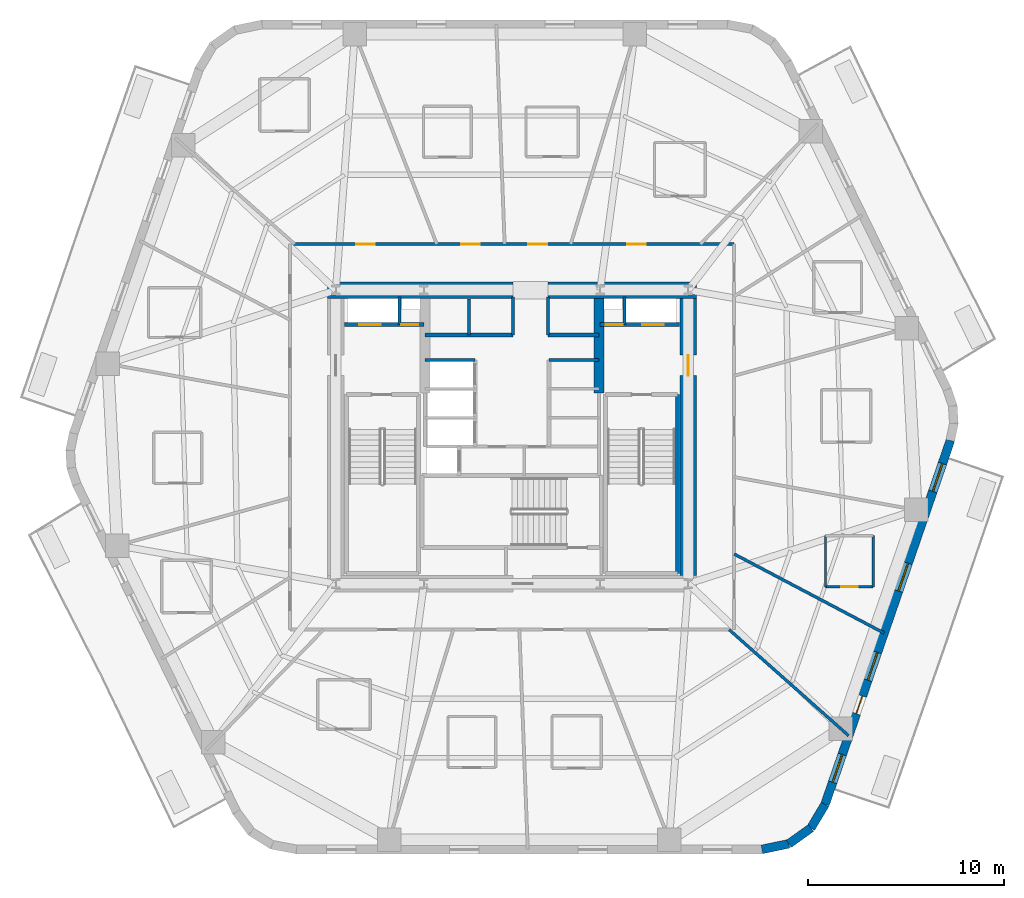
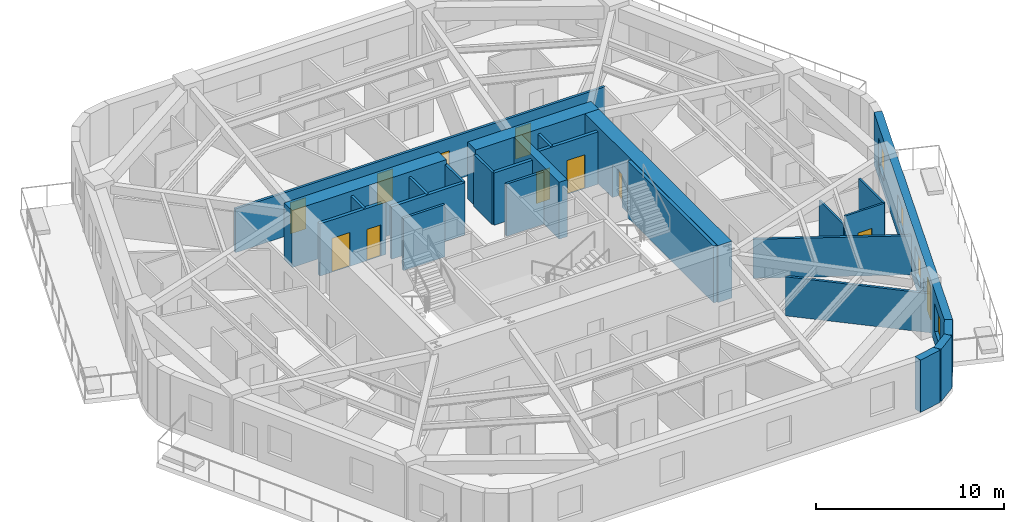
# One storey, part 5 of 10: 26 walls, 11 doors, 4 windows, 15 openings.
"""IFC4 building model written with IfcOpenShell, lengths in metres."""

from ifc_helpers import new_model, si_unit, direction, frame, frame_2d, origin, place, context, subcontext, project, spatial, rectangle, extrude, material, layer, layer_set, type_object, element, fill, save


model = new_model("IFC4")

# Units and contexts
model_context = context("Model", 3, precision=1e-05, world=origin(), true_north=direction((0.0, 1.0)))
body_context = subcontext(model_context, "Body", "Model", "MODEL_VIEW")
ifc_project = project(units=[si_unit("LENGTHUNIT", "METRE"), si_unit("AREAUNIT", "SQUARE_METRE"), si_unit("VOLUMEUNIT", "CUBIC_METRE"), si_unit("PLANEANGLEUNIT", "RADIAN"), si_unit("MASSUNIT", "GRAM", prefix="KILO")], contexts=[model_context])

# Site, building, storey
site_placement = place(None, origin())
site = spatial("IfcSite", under=ifc_project, at=site_placement, CompositionType="ELEMENT")
building_placement = place(site_placement, origin())
building = spatial("IfcBuilding", under=site, at=building_placement, Name="Kilnhurst Terrace Hotel", CompositionType="ELEMENT")
storey_placement = place(building_placement, frame((0.0, 0.0, 113.60009765625)))
storey = spatial("IfcBuildingStorey", under=building, at=storey_placement, Name="L27", CompositionType="ELEMENT", Elevation=113.60009765625)

# Walls
ifc_material_1 = material(Name="Precast concrete C40/50", Category="concrete")
ifc_layer_1 = layer(ifc_material_1, 0.449951171875, Name="Precast concrete C40/50")
ifc_layer_set_1 = layer_set([ifc_layer_1], Name="Precast concrete C40/50")
wall_type_1 = type_object("IfcWallType", Name="WL-BRK-450", PredefinedType="SOLIDWALL", material=ifc_layer_set_1)
wall_1_placement = place(storey_placement, frame((12.7705078125, -21.074951171875, 0.0), z_axis=(0.0, 0.0, 1.0), x_axis=(0.97874281988, 0.205091424819, 0.0)))
element("IfcWall", 1, at=wall_1_placement, inside=storey, type_object=wall_type_1, Name="L27 Rounded Corner Brick Wall C2.1", PredefinedType="SOLIDWALL", context=body_context, shape_type="SweptSolid", body=[
    extrude(rectangle(XDim=1.40576171875, YDim=0.449951171875, at=frame_2d((0.702880859375, 0.0))), origin(), (0.0, 0.0, 1.0), 3.39990234375),
])
wall_2_placement = place(storey_placement, frame((14.146484375, -20.78662109375, 0.0), z_axis=(0.0, 0.0, 1.0), x_axis=(0.814162929117, 0.580636482536, 0.0)))
element("IfcWall", 2, at=wall_2_placement, inside=storey, type_object=wall_type_1, Name="L27 Rounded Corner Brick Wall C2.2", PredefinedType="SOLIDWALL", context=body_context, shape_type="SweptSolid", body=[
    extrude(rectangle(XDim=1.382080078125, YDim=0.449951171875, at=frame_2d((0.69091796875, 0.0))), origin(), (0.0, 0.0, 1.0), 3.39990234375),
])
wall_3_placement = place(storey_placement, frame((15.271728515625, -19.984130859375, 0.0), z_axis=(0.0, 0.0, 1.0), x_axis=(0.512579347361, 0.858639862025, 0.0)))
element("IfcWall", 3, at=wall_3_placement, inside=storey, type_object=wall_type_1, Name="L27 Rounded Corner Brick Wall C2.3", PredefinedType="SOLIDWALL", context=body_context, shape_type="SweptSolid", body=[
    extrude(rectangle(XDim=1.406005859375, YDim=0.449951171875, at=frame_2d((0.703125, 0.0))), origin(), (0.0, 0.0, 1.0), 3.39990234375),
])

# Wall, openings, door, windows
wall_4_placement = place(storey_placement, frame((15.992431640625, -18.77685546875, 0.0), z_axis=(0.0, 0.0, 1.0), x_axis=(0.325606988926, 0.945505202927, 0.0)))
wall_4 = element("IfcWall", 4, at=wall_4_placement, inside=storey, type_object=wall_type_1, Name="L27 Exterior Brick Facade Wall F2", PredefinedType="SOLIDWALL", context=body_context, shape_type="SweptSolid", body=[
    extrude(rectangle(XDim=19.66943359375, YDim=0.449951171875, at=frame_2d((9.834716796875, 0.0))), origin(), (0.0, 0.0, 1.0), 3.39990234375),
])
opening_1_placement = place(wall_4_placement, frame((4.908935546875, 0.0, 0.0)))
opening_1 = element("IfcOpeningElement", 5, at=opening_1_placement, cuts=wall_4, Name="Opening BD-950", PredefinedType="OPENING", context=body_context, shape_type="SweptSolid", body=[
    extrude(rectangle(XDim=0.949951171875, YDim=2.14990234375, at=frame_2d((0.47509765625, 1.074951171875))), frame((0.0, 0.23486328125, 0.0), z_axis=(0.0, -1.0, 0.0), x_axis=(1.0, 0.0, 0.0)), (0.0, 0.0, 1.0), 0.469970703125),
])
opening_2_placement = place(wall_4_placement, frame((1.197021484375, 0.0, 0.800048828125)))
opening_2 = element("IfcOpeningElement", 6, at=opening_2_placement, cuts=wall_4, Name="Opening W-02", PredefinedType="OPENING", context=body_context, shape_type="SweptSolid", body=[
    extrude(rectangle(XDim=1.5, YDim=1.800048828125, at=frame_2d((0.75, 0.89990234375))), frame((0.0, 0.23486328125, 0.0), z_axis=(0.0, -1.0, 0.0), x_axis=(1.0, 0.0, 0.0)), (0.0, 0.0, 1.0), 0.469970703125),
])
opening_3_placement = place(wall_4_placement, frame((6.714111328125, 0.0, 0.800048828125)))
opening_3 = element("IfcOpeningElement", 7, at=opening_3_placement, cuts=wall_4, Name="Opening W-02", PredefinedType="OPENING", context=body_context, shape_type="SweptSolid", body=[
    extrude(rectangle(XDim=1.5, YDim=1.800048828125, at=frame_2d((0.75, 0.89990234375))), frame((0.0, 0.23486328125, 0.0), z_axis=(0.0, -1.0, 0.0), x_axis=(1.0, 0.0, 0.0)), (0.0, 0.0, 1.0), 0.469970703125),
])
opening_4_placement = place(wall_4_placement, frame((11.530029296875, 0.0, 0.800048828125)))
opening_4 = element("IfcOpeningElement", 8, at=opening_4_placement, cuts=wall_4, Name="Opening W-02", PredefinedType="OPENING", context=body_context, shape_type="SweptSolid", body=[
    extrude(rectangle(XDim=1.5, YDim=1.800048828125, at=frame_2d((0.75, 0.89990234375))), frame((0.0, 0.23486328125, 0.0), z_axis=(0.0, -1.0, 0.0), x_axis=(1.0, 0.0, 0.0)), (0.0, 0.0, 1.0), 0.469970703125),
])
opening_5_placement = place(wall_4_placement, frame((16.91796875, 0.0, 0.800048828125)))
opening_5 = element("IfcOpeningElement", 9, at=opening_5_placement, cuts=wall_4, Name="Opening W-02", PredefinedType="OPENING", context=body_context, shape_type="SweptSolid", body=[
    extrude(rectangle(XDim=1.5, YDim=1.800048828125, at=frame_2d((0.75, 0.89990234375))), frame((0.0, 0.23486328125, 0.0), z_axis=(0.0, -1.0, 0.0), x_axis=(1.0, 0.0, 0.0)), (0.0, 0.0, 1.0), 0.469970703125),
])
ifc_material_2 = material(Name="Thermally Broken Bronze Aluminium Alloy 6063-T6 and Laminated Glass", Category="aluminium")
door_type_1 = type_object("IfcDoorType", Name="DR-EXT-BAL-950", OperationType="NOTDEFINED", PredefinedType="DOOR", material=ifc_material_2)
door_1_placement = place(opening_1_placement, origin())
door_1 = element("IfcDoor", 10, at=door_1_placement, inside=storey, type_object=door_type_1, Name="L27 Planted Balcony Door BAL-L1A", OperationType="SINGLE_SWING_RIGHT", OverallHeight=2.14990234375, OverallWidth=0.949951171875, PredefinedType="DOOR", context=body_context, shape_type="SweptSolid", body=[
    extrude(rectangle(XDim=0.949951171875, YDim=2.14990234375, at=frame_2d((0.47509765625, 1.074951171875))), frame((0.0, 0.02490234375, 0.0), z_axis=(0.0, -1.0, 0.0), x_axis=(1.0, 0.0, 0.0)), (0.0, 0.0, 1.0), 0.050048828125),
])
fill(opening_1, door_1)
ifc_material_3 = material(Name="Thermally Broken Bronze Aluminium Alloy 6063-T6 and Low-E Glass", Category="aluminium")
window_type = type_object("IfcWindowType", Name="WIN-1500X1800", PartitioningType="SINGLE_PANEL", PredefinedType="WINDOW", material=ifc_material_3)
window_1_placement = place(opening_2_placement, origin())
window_1 = element("IfcWindow", 11, at=window_1_placement, inside=storey, type_object=window_type, Name="L27 Deep-Set Masonry Window F2.1", OverallHeight=1.800048828125, OverallWidth=1.5, PartitioningType="SINGLE_PANEL", PredefinedType="WINDOW", context=body_context, shape_type="SweptSolid", body=[
    extrude(rectangle(XDim=1.5, YDim=1.800048828125, at=frame_2d((0.75, 0.89990234375))), frame((0.0, 0.030029296875, 0.0), z_axis=(0.0, -1.0, 0.0), x_axis=(1.0, 0.0, 0.0)), (0.0, 0.0, 1.0), 0.06005859375),
])
fill(opening_2, window_1)
window_2_placement = place(opening_3_placement, origin())
window_2 = element("IfcWindow", 12, at=window_2_placement, inside=storey, type_object=window_type, Name="L27 Deep-Set Masonry Window F2.2", OverallHeight=1.800048828125, OverallWidth=1.5, PartitioningType="SINGLE_PANEL", PredefinedType="WINDOW", context=body_context, shape_type="SweptSolid", body=[
    extrude(rectangle(XDim=1.5, YDim=1.800048828125, at=frame_2d((0.75, 0.89990234375))), frame((0.0, 0.030029296875, 0.0), z_axis=(0.0, -1.0, 0.0), x_axis=(1.0, 0.0, 0.0)), (0.0, 0.0, 1.0), 0.06005859375),
])
fill(opening_3, window_2)
window_3_placement = place(opening_4_placement, origin())
window_3 = element("IfcWindow", 13, at=window_3_placement, inside=storey, type_object=window_type, Name="L27 Deep-Set Masonry Window F2.3", OverallHeight=1.800048828125, OverallWidth=1.5, PartitioningType="SINGLE_PANEL", PredefinedType="WINDOW", context=body_context, shape_type="SweptSolid", body=[
    extrude(rectangle(XDim=1.5, YDim=1.800048828125, at=frame_2d((0.75, 0.89990234375))), frame((0.0, 0.030029296875, 0.0), z_axis=(0.0, -1.0, 0.0), x_axis=(1.0, 0.0, 0.0)), (0.0, 0.0, 1.0), 0.06005859375),
])
fill(opening_4, window_3)
window_4_placement = place(opening_5_placement, origin())
window_4 = element("IfcWindow", 14, at=window_4_placement, inside=storey, type_object=window_type, Name="L27 Deep-Set Masonry Window F2.4", OverallHeight=1.800048828125, OverallWidth=1.5, PartitioningType="SINGLE_PANEL", PredefinedType="WINDOW", context=body_context, shape_type="SweptSolid", body=[
    extrude(rectangle(XDim=1.5, YDim=1.800048828125, at=frame_2d((0.75, 0.89990234375))), frame((0.0, 0.030029296875, 0.0), z_axis=(0.0, -1.0, 0.0), x_axis=(1.0, 0.0, 0.0)), (0.0, 0.0, 1.0), 0.06005859375),
])
fill(opening_5, window_4)

# Wall, openings, doors
ifc_material_4 = material(Name="Acoustic Double-Gypsum Corridor Partition Assembly")
ifc_layer_2 = layer(ifc_material_4, 0.14990234375, Name="Acoustic Double-Gypsum Corridor Partition Assembly")
ifc_layer_set_2 = layer_set([ifc_layer_2], Name="Acoustic Double-Gypsum Corridor Partition Assembly")
wall_type_2 = type_object("IfcWallType", Name="WL-COR-150", PredefinedType="PARTITIONING", material=ifc_layer_set_2)
wall_5_placement = place(storey_placement, frame((-11.35009765625, 9.85009765625, 0.0), z_axis=(0.0, 0.0, 1.0), x_axis=(1.0, 0.0, 0.0)))
wall_5 = element("IfcWall", 15, at=wall_5_placement, inside=storey, type_object=wall_type_2, Name="L27 Interior Wall WL-L27-COR-02", PredefinedType="PARTITIONING", context=body_context, shape_type="SweptSolid", body=[
    extrude(rectangle(XDim=22.7001953125, YDim=0.14990234375, at=frame_2d((11.35009765625, 0.0))), origin(), (0.0, 0.0, 1.0), 2.83984375),
])
opening_6_placement = place(wall_5_placement, frame((17.237060546875, 0.0, 0.0)))
opening_6 = element("IfcOpeningElement", 16, at=opening_6_placement, cuts=wall_5, Name="Opening D-60B", PredefinedType="OPENING", context=body_context, shape_type="SweptSolid", body=[
    extrude(rectangle(XDim=0.949951171875, YDim=2.030029296875, at=frame_2d((0.47509765625, 1.01513671875))), frame((0.0, 0.0849609375, 0.0), z_axis=(0.0, -1.0, 0.0), x_axis=(1.0, 0.0, 0.0)), (0.0, 0.0, 1.0), 0.169921875),
])
opening_7_placement = place(wall_5_placement, frame((12.19189453125, 0.0, 0.0)))
opening_7 = element("IfcOpeningElement", 17, at=opening_7_placement, cuts=wall_5, Name="Opening D-60B", PredefinedType="OPENING", context=body_context, shape_type="SweptSolid", body=[
    extrude(rectangle(XDim=0.949951171875, YDim=2.030029296875, at=frame_2d((0.47509765625, 1.01513671875))), frame((0.0, 0.0849609375, 0.0), z_axis=(0.0, -1.0, 0.0), x_axis=(1.0, 0.0, 0.0)), (0.0, 0.0, 1.0), 0.169921875),
])
opening_8_placement = place(wall_5_placement, frame((8.757080078125, 0.0, 0.0)))
opening_8 = element("IfcOpeningElement", 18, at=opening_8_placement, cuts=wall_5, Name="Opening D-60B", PredefinedType="OPENING", context=body_context, shape_type="SweptSolid", body=[
    extrude(rectangle(XDim=0.949951171875, YDim=2.030029296875, at=frame_2d((0.47509765625, 1.01513671875))), frame((0.0, 0.0849609375, 0.0), z_axis=(0.0, -1.0, 0.0), x_axis=(1.0, 0.0, 0.0)), (0.0, 0.0, 1.0), 0.169921875),
])
opening_9_placement = place(wall_5_placement, frame((3.39892578125, 0.0, 0.0)))
opening_9 = element("IfcOpeningElement", 19, at=opening_9_placement, cuts=wall_5, Name="Opening D-60B", PredefinedType="OPENING", context=body_context, shape_type="SweptSolid", body=[
    extrude(rectangle(XDim=0.949951171875, YDim=2.030029296875, at=frame_2d((0.47509765625, 1.01513671875))), frame((0.0, 0.0849609375, 0.0), z_axis=(0.0, -1.0, 0.0), x_axis=(1.0, 0.0, 0.0)), (0.0, 0.0, 1.0), 0.169921875),
])
ifc_material_5 = material(Name="Acoustic Walnut Veneer Solid-Core Fire Door")
door_type_2 = type_object("IfcDoorType", Name="DR-FD60-950", OperationType="NOTDEFINED", PredefinedType="DOOR", material=ifc_material_5)
door_2_placement = place(opening_6_placement, origin())
door_2 = element("IfcDoor", 20, at=door_2_placement, inside=storey, type_object=door_type_2, Name="L27 Executive Suite Entry Door 3", OperationType="SINGLE_SWING_LEFT", OverallHeight=2.030029296875, OverallWidth=0.949951171875, PredefinedType="DOOR", context=body_context, shape_type="SweptSolid", body=[
    extrude(rectangle(XDim=0.949951171875, YDim=2.030029296875, at=frame_2d((0.47509765625, 1.01513671875))), frame((0.0, 0.02490234375, 0.0), z_axis=(0.0, -1.0, 0.0), x_axis=(1.0, 0.0, 0.0)), (0.0, 0.0, 1.0), 0.050048828125),
])
fill(opening_6, door_2)
door_3_placement = place(opening_7_placement, origin())
door_3 = element("IfcDoor", 21, at=door_3_placement, inside=storey, type_object=door_type_2, Name="L27 Guest Room Entry Door 4", OperationType="SINGLE_SWING_RIGHT", OverallHeight=2.030029296875, OverallWidth=0.949951171875, PredefinedType="DOOR", context=body_context, shape_type="SweptSolid", body=[
    extrude(rectangle(XDim=0.949951171875, YDim=2.030029296875, at=frame_2d((0.47509765625, 1.01513671875))), frame((0.0, 0.02490234375, 0.0), z_axis=(0.0, -1.0, 0.0), x_axis=(1.0, 0.0, 0.0)), (0.0, 0.0, 1.0), 0.050048828125),
])
fill(opening_7, door_3)
door_4_placement = place(opening_8_placement, origin())
door_4 = element("IfcDoor", 22, at=door_4_placement, inside=storey, type_object=door_type_2, Name="L27 Guest Room Entry Door 5", OperationType="SINGLE_SWING_LEFT", OverallHeight=2.030029296875, OverallWidth=0.949951171875, PredefinedType="DOOR", context=body_context, shape_type="SweptSolid", body=[
    extrude(rectangle(XDim=0.949951171875, YDim=2.030029296875, at=frame_2d((0.47509765625, 1.01513671875))), frame((0.0, 0.02490234375, 0.0), z_axis=(0.0, -1.0, 0.0), x_axis=(1.0, 0.0, 0.0)), (0.0, 0.0, 1.0), 0.050048828125),
])
fill(opening_8, door_4)
door_5_placement = place(opening_9_placement, origin())
door_5 = element("IfcDoor", 23, at=door_5_placement, inside=storey, type_object=door_type_2, Name="L27 Executive Suite Entry Door 6", OperationType="SINGLE_SWING_RIGHT", OverallHeight=2.030029296875, OverallWidth=0.949951171875, PredefinedType="DOOR", context=body_context, shape_type="SweptSolid", body=[
    extrude(rectangle(XDim=0.949951171875, YDim=2.030029296875, at=frame_2d((0.47509765625, 1.01513671875))), frame((0.0, 0.02490234375, 0.0), z_axis=(0.0, -1.0, 0.0), x_axis=(1.0, 0.0, 0.0)), (0.0, 0.0, 1.0), 0.050048828125),
])
fill(opening_9, door_5)

# Walls
ifc_material_6 = material(Name="Concrete C80/95", Category="concrete")
ifc_layer_3 = layer(ifc_material_6, 0.85009765625, Name="Concrete C80/95")
ifc_layer_set_3 = layer_set([ifc_layer_3], Name="Concrete C80/95")
wall_type_3 = type_object("IfcWallType", Name="WL-CORE-850", PredefinedType="SHEAR", material=ifc_layer_set_3)
wall_6_placement = place(storey_placement, frame((-9.425048828125, 7.5, 0.0), z_axis=(0.0, 0.0, 1.0), x_axis=(1.0, 0.0, 0.0)))
element("IfcWall", 24, at=wall_6_placement, inside=storey, type_object=wall_type_3, Name="L27 Core North West Shear Wall", PredefinedType="SHEAR", context=body_context, shape_type="SweptSolid", body=[
    extrude(rectangle(XDim=9.47509765625, YDim=0.85009765625, at=frame_2d((4.737548828125, 0.0))), origin(), (0.0, 0.0, 1.0), 3.699951171875),
])
wall_7_placement = place(storey_placement, frame((1.85009765625, 7.5, 0.0), z_axis=(0.0, 0.0, 1.0), x_axis=(1.0, 0.0, 0.0)))
element("IfcWall", 25, at=wall_7_placement, inside=storey, type_object=wall_type_3, Name="L27 Core North East Shear Wall", PredefinedType="SHEAR", context=body_context, shape_type="SweptSolid", body=[
    extrude(rectangle(XDim=7.574951171875, YDim=0.85009765625, at=frame_2d((3.78759765625, 0.0))), origin(), (0.0, 0.0, 1.0), 3.699951171875),
])

# Wall, opening, door
wall_8_placement = place(storey_placement, frame((9.0, -7.074951171875, 0.0), z_axis=(0.0, 0.0, 1.0), x_axis=(0.0, 1.0, 0.0)))
wall_8 = element("IfcWall", 26, at=wall_8_placement, inside=storey, type_object=wall_type_3, Name="L27 Core East Shear Wall", PredefinedType="SHEAR", context=body_context, shape_type="SweptSolid", body=[
    extrude(rectangle(XDim=14.14990234375, YDim=0.85009765625, at=frame_2d((7.074951171875, 0.0))), origin(), (0.0, 0.0, 1.0), 3.699951171875),
])
opening_10_placement = place(wall_8_placement, frame((10.199951171875, 0.0, 0.0)))
opening_10 = element("IfcOpeningElement", 27, at=opening_10_placement, cuts=wall_8, Name="Opening D-90A", PredefinedType="OPENING", context=body_context, shape_type="SweptSolid", body=[
    extrude(rectangle(XDim=1.050048828125, YDim=2.14990234375, at=frame_2d((0.52490234375, 1.074951171875))), frame((0.0, 0.43505859375, 0.0), z_axis=(0.0, -1.0, 0.0), x_axis=(1.0, 0.0, 0.0)), (0.0, 0.0, 1.0), 0.8701171875),
])
ifc_material_7 = material(Name="Painted Hollow Metal Steel ASTM A36 Fire Door", Category="steel")
door_type_3 = type_object("IfcDoorType", Name="DR-FD90-1050", OperationType="NOTDEFINED", PredefinedType="DOOR", material=ifc_material_7)
door_6_placement = place(opening_10_placement, origin())
door_6 = element("IfcDoor", 28, at=door_6_placement, inside=storey, type_object=door_type_3, Name="L27 East Firefighting Lobby Door", OperationType="SINGLE_SWING_LEFT", OverallHeight=2.14990234375, OverallWidth=1.050048828125, PredefinedType="DOOR", context=body_context, shape_type="SweptSolid", body=[
    extrude(rectangle(XDim=1.050048828125, YDim=2.14990234375, at=frame_2d((0.52490234375, 1.074951171875))), frame((0.0, 0.02490234375, 0.0), z_axis=(0.0, -1.0, 0.0), x_axis=(1.0, 0.0, 0.0)), (0.0, 0.0, 1.0), 0.050048828125),
])
fill(opening_10, door_6)

# Walls
ifc_material_8 = material(Name="Concrete C60/75", Category="concrete")
ifc_layer_4 = layer(ifc_material_8, 0.5, Name="Concrete C60/75")
ifc_layer_set_4 = layer_set([ifc_layer_4], Name="Concrete C60/75")
wall_type_4 = type_object("IfcWallType", Name="WL-CORE-WEB-500", PredefinedType="SHEAR", material=ifc_layer_set_4)
wall_9_placement = place(storey_placement, frame((4.449951171875, 2.25, 0.0), z_axis=(0.0, 0.0, 1.0), x_axis=(0.0, 1.0, 0.0)))
element("IfcWall", 29, at=wall_9_placement, inside=storey, type_object=wall_type_4, Name="L27 Core Internal East Shear Web", PredefinedType="SHEAR", context=body_context, shape_type="SweptSolid", body=[
    extrude(rectangle(XDim=4.824951171875, YDim=0.5, at=frame_2d((2.41259765625, 0.0))), origin(), (0.0, 0.0, 1.0), 3.699951171875),
])
ifc_material_9 = material(Name="STC-58 Acoustic Twin-Frame Guestroom Demising Partition")
ifc_layer_5 = layer(ifc_material_9, 0.14990234375, Name="STC-58 Acoustic Twin-Frame Guestroom Demising Partition")
ifc_layer_set_5 = layer_set([ifc_layer_5], Name="STC-58 Acoustic Twin-Frame Guestroom Demising Partition")
wall_type_5 = type_object("IfcWallType", Name="WL-DEM-150", PredefinedType="PARTITIONING", material=ifc_layer_set_5)
wall_10_placement = place(storey_placement, frame((11.097900390625, -9.85009765625, 0.0), z_axis=(0.0, 0.0, 1.0), x_axis=(0.747904295103, -0.663806572253, 0.0)))
element("IfcWall", 30, at=wall_10_placement, inside=storey, type_object=wall_type_5, Name="L27 Interior Wall WL-L27-DEM-COL11-16-1", PredefinedType="PARTITIONING", context=body_context, shape_type="SweptSolid", body=[
    extrude(rectangle(XDim=8.160400390625, YDim=0.14990234375, at=frame_2d((4.080078125, 0.0))), origin(), (0.0, 0.0, 1.0), 2.539794921875),
])
wall_11_placement = place(storey_placement, frame((11.35009765625, -5.9833984375, 0.0), z_axis=(0.0, 0.0, 1.0), x_axis=(0.884597447182, -0.466355397137, 0.0)))
element("IfcWall", 31, at=wall_11_placement, inside=storey, type_object=wall_type_5, Name="L27 Interior Wall WL-L27-DEM-MID11-17-1", PredefinedType="PARTITIONING", context=body_context, shape_type="SweptSolid", body=[
    extrude(rectangle(XDim=8.65673828125, YDim=0.14990234375, at=frame_2d((4.328369140625, 0.0))), origin(), (0.0, 0.0, 1.0), 2.539794921875),
])

# Wall, opening, door
ifc_material_10 = material(Name="120 mm Moisture-Resistant Tile-Backed Bathroom Partition")
ifc_layer_6 = layer(ifc_material_10, 0.1201171875, Name="120 mm Moisture-Resistant Tile-Backed Bathroom Partition")
ifc_layer_set_6 = layer_set([ifc_layer_6], Name="120 mm Moisture-Resistant Tile-Backed Bathroom Partition")
wall_type_6 = type_object("IfcWallType", Name="WL-PART-120", PredefinedType="PARTITIONING", material=ifc_layer_set_6)
wall_12_placement = place(storey_placement, frame((16.014892578125, -7.656005859375, 0.0), z_axis=(0.0, 0.0, 1.0), x_axis=(1.0, 0.0, 0.0)))
wall_12 = element("IfcWall", 32, at=wall_12_placement, inside=storey, type_object=wall_type_6, Name="L27 Interior Wall WL-L27-BTH-17-1", PredefinedType="PARTITIONING", context=body_context, shape_type="SweptSolid", body=[
    extrude(rectangle(XDim=2.440185546875, YDim=0.1201171875, at=frame_2d((1.22021484375, 0.0))), origin(), (0.0, 0.0, 1.0), 3.39990234375),
])
opening_11_placement = place(wall_12_placement, frame((0.794921875, 0.0, 0.0)))
opening_11 = element("IfcOpeningElement", 33, at=opening_11_placement, cuts=wall_12, Name="Opening D-08A", PredefinedType="OPENING", context=body_context, shape_type="SweptSolid", body=[
    extrude(rectangle(XDim=0.85009765625, YDim=2.030029296875, at=frame_2d((0.425048828125, 1.01513671875))), frame((0.0, 0.070068359375, 0.0), z_axis=(0.0, -1.0, 0.0), x_axis=(1.0, 0.0, 0.0)), (0.0, 0.0, 1.0), 0.14013671875),
])
ifc_material_11 = material(Name="Moisture-Resistant Lacquered En-suite Bathroom Door")
door_type_4 = type_object("IfcDoorType", Name="DR-INT-850", OperationType="NOTDEFINED", PredefinedType="DOOR", material=ifc_material_11)
door_7_placement = place(opening_11_placement, origin())
door_7 = element("IfcDoor", 34, at=door_7_placement, inside=storey, type_object=door_type_4, Name="L27 En-suite Bathroom Door 17", OperationType="SINGLE_SWING_RIGHT", OverallHeight=2.030029296875, OverallWidth=0.85009765625, PredefinedType="DOOR", context=body_context, shape_type="SweptSolid", body=[
    extrude(rectangle(XDim=0.85009765625, YDim=2.030029296875, at=frame_2d((0.425048828125, 1.01513671875))), frame((0.0, 0.02490234375, 0.0), z_axis=(0.0, -1.0, 0.0), x_axis=(1.0, 0.0, 0.0)), (0.0, 0.0, 1.0), 0.050048828125),
])
fill(opening_11, door_7)

# Walls
wall_13_placement = place(storey_placement, frame((18.455078125, -7.656005859375, 0.0), z_axis=(0.0, 0.0, 1.0), x_axis=(0.0, 1.0, 0.0)))
element("IfcWall", 35, at=wall_13_placement, inside=storey, type_object=wall_type_6, Name="L27 Interior Wall WL-L27-BTH-17-2", PredefinedType="PARTITIONING", context=body_context, shape_type="SweptSolid", body=[
    extrude(rectangle(XDim=2.610107421875, YDim=0.1201171875, at=frame_2d((1.30517578125, 0.0))), origin(), (0.0, 0.0, 1.0), 3.39990234375),
])
wall_14_placement = place(storey_placement, frame((16.014892578125, -5.0458984375, 0.0), z_axis=(0.0, 0.0, 1.0), x_axis=(0.0, -1.0, 0.0)))
element("IfcWall", 36, at=wall_14_placement, inside=storey, type_object=wall_type_6, Name="L27 Interior Wall WL-L27-BTH-17-4", PredefinedType="PARTITIONING", context=body_context, shape_type="SweptSolid", body=[
    extrude(rectangle(XDim=2.610107421875, YDim=0.1201171875, at=frame_2d((1.30517578125, 0.0))), origin(), (0.0, 0.0, 1.0), 2.83984375),
])
ifc_material_12 = material(Name="Fire-Rated Gypsum Shaftliner Assembly")
ifc_layer_7 = layer(ifc_material_12, 0.14990234375, Name="Fire-Rated Gypsum Shaftliner Assembly")
ifc_layer_set_7 = layer_set([ifc_layer_7], Name="Fire-Rated Gypsum Shaftliner Assembly")
wall_type_7 = type_object("IfcWallType", Name="WL-SHAFT-150", PredefinedType="PARTITIONING", material=ifc_layer_set_7)
for number, where, z_axis, x_axis, name in (
    (37, (-5.75, 5.739990234375, 0.0), (0.0, 0.0, 1.0), (0.0, 1.0, 0.0), "L27 Interior Wall WL-L27-RIS1-DIV"),
    (38, (5.75, 5.739990234375, 0.0), (0.0, 0.0, 1.0), (0.0, 1.0, 0.0), "L27 Interior Wall WL-L27-RIS2-DIV"),
):
    element("IfcWall", number, at=place(storey_placement, frame(where, z_axis=z_axis, x_axis=x_axis)), inside=storey, type_object=wall_type_7, Name=name, PredefinedType="PARTITIONING", context=body_context, shape_type="SweptSolid", body=[
        extrude(rectangle(XDim=1.409912109375, YDim=0.14990234375, at=frame_2d((0.705078125, 0.0))), origin(), (0.0, 0.0, 1.0), 3.39990234375),
    ])
wall_15_placement = place(storey_placement, frame((-2.199951171875, 5.199951171875, 0.0), z_axis=(0.0, 0.0, 1.0), x_axis=(0.0, 1.0, 0.0)))
element("IfcWall", 39, at=wall_15_placement, inside=storey, type_object=wall_type_7, Name="L27 Interior Wall WL-L27-HR-DIV1", PredefinedType="PARTITIONING", context=body_context, shape_type="SweptSolid", body=[
    extrude(rectangle(XDim=1.85009765625, YDim=0.14990234375, at=frame_2d((0.925048828125, 0.0))), origin(), (0.0, 0.0, 1.0), 3.39990234375),
])
for number, where, z_axis, x_axis, name in (
    (40, (0.050048828125, 5.199951171875, 0.0), (0.0, 0.0, 1.0), (0.0, 1.0, 0.0), "L27 Interior Wall WL-L27-HR-PORTAL-W"),
    (41, (1.85009765625, 5.199951171875, 0.0), (0.0, 0.0, 1.0), (0.0, 1.0, 0.0), "L27 Interior Wall WL-L27-HR-PORTAL-E"),
):
    element("IfcWall", number, at=place(storey_placement, frame(where, z_axis=z_axis, x_axis=x_axis)), inside=storey, type_object=wall_type_7, Name=name, PredefinedType="PARTITIONING", context=body_context, shape_type="SweptSolid", body=[
        extrude(rectangle(XDim=1.949951171875, YDim=0.14990234375, at=frame_2d((0.97509765625, 0.0))), origin(), (0.0, 0.0, 1.0), 3.39990234375),
    ])
for number, where, z_axis, x_axis, name in (
    (42, (-4.449951171875, 3.93994140625, 0.0), (0.0, 0.0, 1.0), (1.0, 0.0, 0.0), "L27 Interior Wall WL-L27-LR-NORTH"),
    (43, (1.89990234375, 3.93994140625, 0.0), (0.0, 0.0, 1.0), (1.0, 0.0, 0.0), "L27 Interior Wall WL-L27-MR-NORTH"),
):
    element("IfcWall", number, at=place(storey_placement, frame(where, z_axis=z_axis, x_axis=x_axis)), inside=storey, type_object=wall_type_7, Name=name, PredefinedType="PARTITIONING", context=body_context, shape_type="SweptSolid", body=[
        extrude(rectangle(XDim=2.550048828125, YDim=0.14990234375, at=frame_2d((1.27490234375, 0.0))), origin(), (0.0, 0.0, 1.0), 3.39990234375),
    ])

# Wall, openings, doors
ifc_material_13 = material(Name="Autoclaved Aerated Concrete C30/37 and Gypsum Shaft Assembly", Category="concrete")
ifc_layer_8 = layer(ifc_material_13, 0.199951171875, Name="Autoclaved Aerated Concrete C30/37 and Gypsum Shaft Assembly")
ifc_layer_set_8 = layer_set([ifc_layer_8], Name="Autoclaved Aerated Concrete C30/37 and Gypsum Shaft Assembly")
wall_type_8 = type_object("IfcWallType", Name="WL-SHAFT-200", PredefinedType="PARTITIONING", material=ifc_layer_set_8)
wall_16_placement = place(storey_placement, frame((-8.550048828125, 5.739990234375, 0.0), z_axis=(0.0, 0.0, 1.0), x_axis=(1.0, 0.0, 0.0)))
wall_16 = element("IfcWall", 44, at=wall_16_placement, inside=storey, type_object=wall_type_8, Name="L27 Interior Wall WL-L27-FSAE1-S", PredefinedType="PARTITIONING", context=body_context, shape_type="SweptSolid", body=[
    extrude(rectangle(XDim=4.050048828125, YDim=0.199951171875, at=frame_2d((2.02490234375, 0.0))), origin(), (0.0, 0.0, 1.0), 3.39990234375),
])
opening_12_placement = place(wall_16_placement, frame((0.75, 0.0, 0.0)))
opening_12 = element("IfcOpeningElement", 45, at=opening_12_placement, cuts=wall_16, Name="Opening LD-F1", PredefinedType="OPENING", context=body_context, shape_type="SweptSolid", body=[
    extrude(rectangle(XDim=1.10009765625, YDim=2.199951171875, at=frame_2d((0.550048828125, 1.10009765625))), frame((0.0, 0.10986328125, 0.0), z_axis=(0.0, -1.0, 0.0), x_axis=(1.0, 0.0, 0.0)), (0.0, 0.0, 1.0), 0.219970703125),
])
opening_13_placement = place(wall_16_placement, frame((2.89990234375, 0.0, 0.0)))
opening_13 = element("IfcOpeningElement", 46, at=opening_13_placement, cuts=wall_16, Name="Opening D-60D", PredefinedType="OPENING", context=body_context, shape_type="SweptSolid", body=[
    extrude(rectangle(XDim=0.85009765625, YDim=2.030029296875, at=frame_2d((0.425048828125, 1.01513671875))), frame((0.0, 0.10986328125, 0.0), z_axis=(0.0, -1.0, 0.0), x_axis=(1.0, 0.0, 0.0)), (0.0, 0.0, 1.0), 0.219970703125),
])
ifc_material_14 = material(Name="Painted Hollow Metal Steel ASTM A36 Riser Door", Category="steel")
door_type_5 = type_object("IfcDoorType", Name="DR-FD60-850", OperationType="NOTDEFINED", PredefinedType="DOOR", material=ifc_material_14)
door_8_placement = place(opening_13_placement, origin())
door_8 = element("IfcDoor", 47, at=door_8_placement, inside=storey, type_object=door_type_5, Name="L27 Electrical Riser Door", OperationType="SINGLE_SWING_LEFT", OverallHeight=2.030029296875, OverallWidth=0.85009765625, PredefinedType="DOOR", context=body_context, shape_type="SweptSolid", body=[
    extrude(rectangle(XDim=0.85009765625, YDim=2.030029296875, at=frame_2d((0.425048828125, 1.01513671875))), frame((0.0, 0.02490234375, 0.0), z_axis=(0.0, -1.0, 0.0), x_axis=(1.0, 0.0, 0.0)), (0.0, 0.0, 1.0), 0.050048828125),
])
fill(opening_13, door_8)
ifc_material_15 = material(Name="Bronze-Anodized Stainless Steel AISI 316L Sliding Door", Category="steel")
door_type_6 = type_object("IfcDoorType", Name="DR-LIFT-1100", OperationType="NOTDEFINED", PredefinedType="DOOR", material=ifc_material_15)
door_9_placement = place(opening_12_placement, origin())
door_9 = element("IfcDoor", 48, at=door_9_placement, inside=storey, type_object=door_type_6, Name="L27 FSAE-1 Landing Door", OperationType="SLIDING_TO_LEFT", OverallHeight=2.199951171875, OverallWidth=1.10009765625, PredefinedType="DOOR", context=body_context, shape_type="SweptSolid", body=[
    extrude(rectangle(XDim=1.10009765625, YDim=2.199951171875, at=frame_2d((0.550048828125, 1.10009765625))), frame((0.0, 0.02490234375, 0.0), z_axis=(0.0, -1.0, 0.0), x_axis=(1.0, 0.0, 0.0)), (0.0, 0.0, 1.0), 0.050048828125),
])
fill(opening_12, door_9)

wall_17_placement = place(storey_placement, frame((4.5, 5.739990234375, 0.0), z_axis=(0.0, 0.0, 1.0), x_axis=(1.0, 0.0, 0.0)))
wall_17 = element("IfcWall", 49, at=wall_17_placement, inside=storey, type_object=wall_type_8, Name="L27 Interior Wall WL-L27-FSAE2-S", PredefinedType="PARTITIONING", context=body_context, shape_type="SweptSolid", body=[
    extrude(rectangle(XDim=4.050048828125, YDim=0.199951171875, at=frame_2d((2.02490234375, 0.0))), origin(), (0.0, 0.0, 1.0), 3.39990234375),
])
opening_14_placement = place(wall_17_placement, frame((0.300048828125, 0.0, 0.0)))
opening_14 = element("IfcOpeningElement", 50, at=opening_14_placement, cuts=wall_17, Name="Opening D-60D", PredefinedType="OPENING", context=body_context, shape_type="SweptSolid", body=[
    extrude(rectangle(XDim=0.85009765625, YDim=2.030029296875, at=frame_2d((0.425048828125, 1.01513671875))), frame((0.0, 0.10986328125, 0.0), z_axis=(0.0, -1.0, 0.0), x_axis=(1.0, 0.0, 0.0)), (0.0, 0.0, 1.0), 0.219970703125),
])
opening_15_placement = place(wall_17_placement, frame((2.14990234375, 0.0, 0.0)))
opening_15 = element("IfcOpeningElement", 51, at=opening_15_placement, cuts=wall_17, Name="Opening LD-F2", PredefinedType="OPENING", context=body_context, shape_type="SweptSolid", body=[
    extrude(rectangle(XDim=1.10009765625, YDim=2.199951171875, at=frame_2d((0.550048828125, 1.10009765625))), frame((0.0, 0.10986328125, 0.0), z_axis=(0.0, -1.0, 0.0), x_axis=(1.0, 0.0, 0.0)), (0.0, 0.0, 1.0), 0.219970703125),
])
door_10_placement = place(opening_14_placement, origin())
door_10 = element("IfcDoor", 52, at=door_10_placement, inside=storey, type_object=door_type_5, Name="L27 Telecom Riser Door", OperationType="SINGLE_SWING_RIGHT", OverallHeight=2.030029296875, OverallWidth=0.85009765625, PredefinedType="DOOR", context=body_context, shape_type="SweptSolid", body=[
    extrude(rectangle(XDim=0.85009765625, YDim=2.030029296875, at=frame_2d((0.425048828125, 1.01513671875))), frame((0.0, 0.02490234375, 0.0), z_axis=(0.0, -1.0, 0.0), x_axis=(1.0, 0.0, 0.0)), (0.0, 0.0, 1.0), 0.050048828125),
])
fill(opening_14, door_10)
door_11_placement = place(opening_15_placement, origin())
door_11 = element("IfcDoor", 53, at=door_11_placement, inside=storey, type_object=door_type_6, Name="L27 FSAE-2 Landing Door", OperationType="SLIDING_TO_RIGHT", OverallHeight=2.199951171875, OverallWidth=1.10009765625, PredefinedType="DOOR", context=body_context, shape_type="SweptSolid", body=[
    extrude(rectangle(XDim=1.10009765625, YDim=2.199951171875, at=frame_2d((0.550048828125, 1.10009765625))), frame((0.0, 0.02490234375, 0.0), z_axis=(0.0, -1.0, 0.0), x_axis=(1.0, 0.0, 0.0)), (0.0, 0.0, 1.0), 0.050048828125),
])
fill(opening_15, door_11)

# Walls
wall_18_placement = place(storey_placement, frame((-4.449951171875, 5.199951171875, 0.0), z_axis=(0.0, 0.0, 1.0), x_axis=(1.0, 0.0, 0.0)))
element("IfcWall", 54, at=wall_18_placement, inside=storey, type_object=wall_type_8, Name="L27 Interior Wall WL-L27-HR-SW", PredefinedType="PARTITIONING", context=body_context, shape_type="SweptSolid", body=[
    extrude(rectangle(XDim=4.5, YDim=0.199951171875, at=frame_2d((2.25, 0.0))), origin(), (0.0, 0.0, 1.0), 3.39990234375),
])
wall_19_placement = place(storey_placement, frame((1.85009765625, 5.199951171875, 0.0), z_axis=(0.0, 0.0, 1.0), x_axis=(1.0, 0.0, 0.0)))
element("IfcWall", 55, at=wall_19_placement, inside=storey, type_object=wall_type_8, Name="L27 Interior Wall WL-L27-HR-SE", PredefinedType="PARTITIONING", context=body_context, shape_type="SweptSolid", body=[
    extrude(rectangle(XDim=2.599853515625, YDim=0.199951171875, at=frame_2d((1.2998046875, 0.0))), origin(), (0.0, 0.0, 1.0), 3.39990234375),
])
ifc_material_16 = material(Name="Concrete C50/60", Category="concrete")
ifc_layer_9 = layer(ifc_material_16, 0.199951171875, Name="Concrete C50/60")
ifc_layer_set_9 = layer_set([ifc_layer_9], Name="Concrete C50/60")
wall_type_9 = type_object("IfcWallType", Name="WL-STAIR-RC-200", PredefinedType="SHEAR", material=ifc_layer_set_9)
wall_20_placement = place(storey_placement, frame((8.4580078125, -6.985107421875, 0.0), z_axis=(0.0, 0.0, 1.0), x_axis=(0.0, 1.0, 0.0)))
element("IfcWall", 56, at=wall_20_placement, inside=storey, type_object=wall_type_9, Name="L27 Structural Stair Shaft Wall WL-L27-ST2-E", PredefinedType="SHEAR", context=body_context, shape_type="SweptSolid", body=[
    extrude(rectangle(XDim=9.14306640625, YDim=0.199951171875, at=frame_2d((4.571533203125, 0.0))), origin(), (0.0, 0.0, 1.0), 3.699951171875),
])

save(model, "model.ifc")
